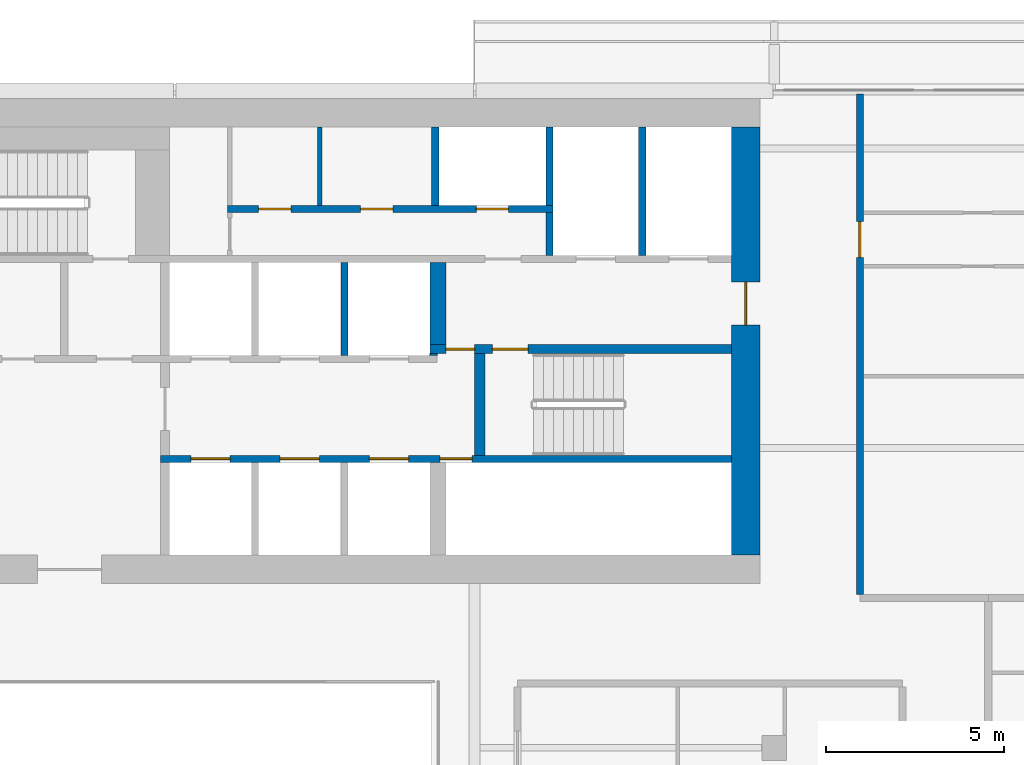
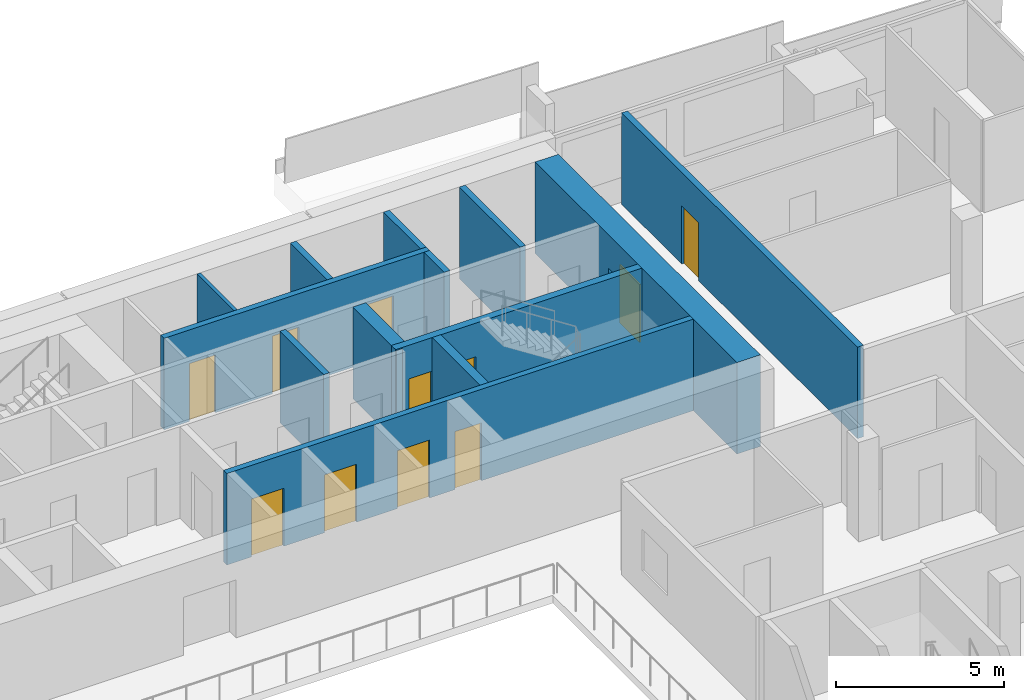
# One storey, part 23 of 31: 14 walls, 11 doors, 11 openings.
"""IFC4 building model written with IfcOpenShell, lengths in metres."""

from ifc_helpers import new_model, si_unit, direction, frame, frame_2d, origin, place, context, subcontext, project, spatial, rectangle, extrude, material, layer, layer_set, type_object, element, fill, save


model = new_model("IFC4")

# Units and contexts
model_context = context("Model", 3, precision=1e-05, world=origin(), true_north=direction((0.0, 1.0)))
body_context = subcontext(model_context, "Body", "Model", "MODEL_VIEW")
ifc_project = project(units=[si_unit("LENGTHUNIT", "METRE"), si_unit("AREAUNIT", "SQUARE_METRE"), si_unit("VOLUMEUNIT", "CUBIC_METRE"), si_unit("PLANEANGLEUNIT", "RADIAN"), si_unit("MASSUNIT", "GRAM", prefix="KILO")], contexts=[model_context])

# Site, building, storey
site_placement = place(None, origin())
site = spatial("IfcSite", under=ifc_project, at=site_placement, CompositionType="ELEMENT")
building_placement = place(site_placement, origin())
building = spatial("IfcBuilding", under=site, at=building_placement, Name="Saffron Gate Tower", CompositionType="ELEMENT")
storey_placement = place(building_placement, frame((0.0, 0.0, 147.449951171875)))
storey = spatial("IfcBuildingStorey", under=building, at=storey_placement, Name="L35", CompositionType="ELEMENT", Elevation=147.449951171875)

# Wall, opening, door
ifc_material_1 = material(Name="Concrete C60", Category="concrete")
ifc_layer_1 = layer(ifc_material_1, 0.800048828125)
ifc_layer_set_1 = layer_set([ifc_layer_1], Name="CW13 RC core wall 800 C60")
wall_type_1 = type_object("IfcWallType", Name="CW13 RC core wall 800 C60", PredefinedType="SOLIDWALL", material=ifc_layer_set_1)
wall_1_placement = place(storey_placement, frame((107.800048828125, 62.39990234375, 0.0), z_axis=(0.0, 0.0, 1.0), x_axis=(0.0, 1.0, 0.0)))
wall_1 = element("IfcWall", 1, at=wall_1_placement, inside=storey, type_object=wall_type_1, Name="Wall CW13-L35-4", PredefinedType="SOLIDWALL", context=body_context, shape_type="SweptSolid", body=[
    extrude(rectangle(XDim=12.0, YDim=0.800048828125, at=frame_2d((6.0, 0.0))), origin(), (0.0, 0.0, 1.0), 3.320068359375),
])
opening_1_placement = place(wall_1_placement, frame((6.449951171875, 0.0, 0.0)))
opening_1 = element("IfcOpeningElement", 2, at=opening_1_placement, cuts=wall_1, Name="Opening CR-08", PredefinedType="OPENING", context=body_context, shape_type="SweptSolid", body=[
    extrude(rectangle(XDim=1.199951171875, YDim=2.10009765625, at=frame_2d((0.60009765625, 1.050048828125))), frame((0.0, 0.41015625, 0.0), z_axis=(0.0, -1.0, 0.0), x_axis=(1.0, 0.0, 0.0)), (0.0, 0.0, 1.0), 0.820068359375),
])
ifc_material_2 = material(Name="Steel fire door set", Category="steel")
door_type_1 = type_object("IfcDoorType", Name="CD7 Core entrance door 1200x2100 EI 120", OperationType="NOTDEFINED", PredefinedType="DOOR", material=ifc_material_2)
door_1_placement = place(opening_1_placement, origin())
door_1 = element("IfcDoor", 3, at=door_1_placement, inside=storey, type_object=door_type_1, Name="DOOR CR-08", OperationType="SINGLE_SWING_RIGHT", OverallHeight=2.10009765625, OverallWidth=1.199951171875, PredefinedType="DOOR", context=body_context, shape_type="SweptSolid", body=[
    extrude(rectangle(XDim=1.199951171875, YDim=2.10009765625, at=frame_2d((0.60009765625, 1.050048828125))), frame((0.0, 0.02490234375, 0.0), z_axis=(0.0, -1.0, 0.0), x_axis=(1.0, 0.0, 0.0)), (0.0, 0.0, 1.0), 0.050048828125),
])
fill(opening_1, door_1)

# Wall, openings, doors
ifc_layer_2 = layer(ifc_material_1, 0.25)
ifc_layer_set_2 = layer_set([ifc_layer_2], Name="CW14 RC core wall 250 C60")
wall_type_2 = type_object("IfcWallType", Name="CW14 RC core wall 250 C60", PredefinedType="SOLIDWALL", material=ifc_layer_set_2)
wall_2_placement = place(storey_placement, frame((98.949951171875, 68.175048828125, 0.0), z_axis=(0.0, 0.0, 1.0), x_axis=(1.0, 0.0, 0.0)))
wall_2 = element("IfcWall", 4, at=wall_2_placement, inside=storey, type_object=wall_type_2, Name="Wall CW14-L35-28", PredefinedType="SOLIDWALL", context=body_context, shape_type="SweptSolid", body=[
    extrude(rectangle(XDim=8.449951171875, YDim=0.25, at=frame_2d((4.22509765625, 0.0))), origin(), (0.0, 0.0, 1.0), 3.320068359375),
])
opening_2_placement = place(wall_2_placement, frame((0.449951171875, 0.0, 0.0)))
opening_2 = element("IfcOpeningElement", 5, at=opening_2_placement, cuts=wall_2, Name="Opening CR-05", PredefinedType="OPENING", context=body_context, shape_type="SweptSolid", body=[
    extrude(rectangle(XDim=0.800048828125, YDim=2.10009765625, at=frame_2d((0.39990234375, 1.050048828125))), frame((0.0, 0.135009765625, 0.0), z_axis=(0.0, -1.0, 0.0), x_axis=(1.0, 0.0, 0.0)), (0.0, 0.0, 1.0), 0.27001953125),
])
opening_3_placement = place(wall_2_placement, frame((1.75, 0.0, 0.0)))
opening_3 = element("IfcOpeningElement", 6, at=opening_3_placement, cuts=wall_2, Name="Opening CR-16", PredefinedType="OPENING", context=body_context, shape_type="SweptSolid", body=[
    extrude(rectangle(XDim=1.0, YDim=2.10009765625, at=frame_2d((0.5, 1.050048828125))), frame((0.0, 0.135009765625, 0.0), z_axis=(0.0, -1.0, 0.0), x_axis=(1.0, 0.0, 0.0)), (0.0, 0.0, 1.0), 0.27001953125),
])
door_type_2 = type_object("IfcDoorType", Name="CD5 Stair door 1000x2100 EI 120", OperationType="NOTDEFINED", PredefinedType="DOOR", material=ifc_material_2)
door_2_placement = place(opening_3_placement, origin())
door_2 = element("IfcDoor", 7, at=door_2_placement, inside=storey, type_object=door_type_2, Name="DOOR CR-16", OperationType="SINGLE_SWING_RIGHT", OverallHeight=2.10009765625, OverallWidth=1.0, PredefinedType="DOOR", context=body_context, shape_type="SweptSolid", body=[
    extrude(rectangle(XDim=1.0, YDim=2.10009765625, at=frame_2d((0.5, 1.050048828125))), frame((0.0, 0.02490234375, 0.0), z_axis=(0.0, -1.0, 0.0), x_axis=(1.0, 0.0, 0.0)), (0.0, 0.0, 1.0), 0.050048828125),
])
fill(opening_3, door_2)
door_type_3 = type_object("IfcDoorType", Name="CD6 Lobby door 800x2100 EI 120", OperationType="NOTDEFINED", PredefinedType="DOOR", material=ifc_material_2)
door_3_placement = place(opening_2_placement, origin())
door_3 = element("IfcDoor", 8, at=door_3_placement, inside=storey, type_object=door_type_3, Name="DOOR CR-05", OperationType="SINGLE_SWING_LEFT", OverallHeight=2.10009765625, OverallWidth=0.800048828125, PredefinedType="DOOR", context=body_context, shape_type="SweptSolid", body=[
    extrude(rectangle(XDim=0.800048828125, YDim=2.10009765625, at=frame_2d((0.39990234375, 1.050048828125))), frame((0.0, 0.02490234375, 0.0), z_axis=(0.0, -1.0, 0.0), x_axis=(1.0, 0.0, 0.0)), (0.0, 0.0, 1.0), 0.050048828125),
])
fill(opening_2, door_3)

ifc_layer_3 = layer(ifc_material_1, 0.199951171875)
ifc_layer_set_3 = layer_set([ifc_layer_3], Name="CW15 RC core wall 200 C60")
wall_type_3 = type_object("IfcWallType", Name="CW15 RC core wall 200 C60", PredefinedType="SOLIDWALL", material=ifc_layer_set_3)
wall_3_placement = place(storey_placement, frame((91.39990234375, 65.10009765625, 0.0), z_axis=(0.0, 0.0, 1.0), x_axis=(1.0, 0.0, 0.0)))
wall_3 = element("IfcWall", 9, at=wall_3_placement, inside=storey, type_object=wall_type_3, Name="Wall CW15-L35-13", PredefinedType="SOLIDWALL", context=body_context, shape_type="SweptSolid", body=[
    extrude(rectangle(XDim=16.0, YDim=0.199951171875, at=frame_2d((8.0, 0.0))), origin(), (0.0, 0.0, 1.0), 3.320068359375),
])
opening_4_placement = place(wall_3_placement, frame((0.85009765625, 0.0, 0.0)))
opening_4 = element("IfcOpeningElement", 10, at=opening_4_placement, cuts=wall_3, Name="Opening LD-HR1", PredefinedType="OPENING", context=body_context, shape_type="SweptSolid", body=[
    extrude(rectangle(XDim=1.10009765625, YDim=2.10009765625, at=frame_2d((0.550048828125, 1.050048828125))), frame((0.0, 0.10986328125, 0.0), z_axis=(0.0, -1.0, 0.0), x_axis=(1.0, 0.0, 0.0)), (0.0, 0.0, 1.0), 0.219970703125),
])
opening_5_placement = place(wall_3_placement, frame((3.35009765625, 0.0, 0.0)))
opening_5 = element("IfcOpeningElement", 11, at=opening_5_placement, cuts=wall_3, Name="Opening LD-HR2", PredefinedType="OPENING", context=body_context, shape_type="SweptSolid", body=[
    extrude(rectangle(XDim=1.10009765625, YDim=2.10009765625, at=frame_2d((0.550048828125, 1.050048828125))), frame((0.0, 0.10986328125, 0.0), z_axis=(0.0, -1.0, 0.0), x_axis=(1.0, 0.0, 0.0)), (0.0, 0.0, 1.0), 0.219970703125),
])
opening_6_placement = place(wall_3_placement, frame((5.85009765625, 0.0, 0.0)))
opening_6 = element("IfcOpeningElement", 12, at=opening_6_placement, cuts=wall_3, Name="Opening LD-HR3", PredefinedType="OPENING", context=body_context, shape_type="SweptSolid", body=[
    extrude(rectangle(XDim=1.10009765625, YDim=2.10009765625, at=frame_2d((0.550048828125, 1.050048828125))), frame((0.0, 0.10986328125, 0.0), z_axis=(0.0, -1.0, 0.0), x_axis=(1.0, 0.0, 0.0)), (0.0, 0.0, 1.0), 0.219970703125),
])
opening_7_placement = place(wall_3_placement, frame((7.830078125, 0.0, 0.0)))
opening_7 = element("IfcOpeningElement", 13, at=opening_7_placement, cuts=wall_3, Name="Opening CR-48", PredefinedType="OPENING", context=body_context, shape_type="SweptSolid", body=[
    extrude(rectangle(XDim=0.89990234375, YDim=2.10009765625, at=frame_2d((0.449951171875, 1.050048828125))), frame((0.0, 0.10986328125, 0.0), z_axis=(0.0, -1.0, 0.0), x_axis=(1.0, 0.0, 0.0)), (0.0, 0.0, 1.0), 0.219970703125),
])
door_type_4 = type_object("IfcDoorType", Name="CD2 Riser door 900x2100 EI 60", OperationType="NOTDEFINED", PredefinedType="DOOR", material=ifc_material_2)
door_4_placement = place(opening_7_placement, origin())
door_4 = element("IfcDoor", 14, at=door_4_placement, inside=storey, type_object=door_type_4, Name="DOOR CR-48", OperationType="SINGLE_SWING_RIGHT", OverallHeight=2.10009765625, OverallWidth=0.89990234375, PredefinedType="DOOR", context=body_context, shape_type="SweptSolid", body=[
    extrude(rectangle(XDim=0.89990234375, YDim=2.10009765625, at=frame_2d((0.449951171875, 1.050048828125))), frame((0.0, 0.02490234375, 0.0), z_axis=(0.0, -1.0, 0.0), x_axis=(1.0, 0.0, 0.0)), (0.0, 0.0, 1.0), 0.050048828125),
])
fill(opening_7, door_4)
ifc_material_3 = material(Name="Stainless steel landing door", Category="steel")
door_type_5 = type_object("IfcDoorType", Name="LD Lift landing door 1100x2100 EI 120", OperationType="SLIDING_TO_LEFT", PredefinedType="DOOR", material=ifc_material_3)
door_5_placement = place(opening_4_placement, origin())
door_5 = element("IfcDoor", 15, at=door_5_placement, inside=storey, type_object=door_type_5, Name="LANDING DOOR LD-HR1", OperationType="SLIDING_TO_LEFT", OverallHeight=2.10009765625, OverallWidth=1.10009765625, PredefinedType="DOOR", context=body_context, shape_type="SweptSolid", body=[
    extrude(rectangle(XDim=1.10009765625, YDim=2.10009765625, at=frame_2d((0.550048828125, 1.050048828125))), frame((0.0, 0.02490234375, 0.0), z_axis=(0.0, -1.0, 0.0), x_axis=(1.0, 0.0, 0.0)), (0.0, 0.0, 1.0), 0.050048828125),
])
fill(opening_4, door_5)
door_6_placement = place(opening_5_placement, origin())
door_6 = element("IfcDoor", 16, at=door_6_placement, inside=storey, type_object=door_type_5, Name="LANDING DOOR LD-HR2", OperationType="SLIDING_TO_LEFT", OverallHeight=2.10009765625, OverallWidth=1.10009765625, PredefinedType="DOOR", context=body_context, shape_type="SweptSolid", body=[
    extrude(rectangle(XDim=1.10009765625, YDim=2.10009765625, at=frame_2d((0.550048828125, 1.050048828125))), frame((0.0, 0.02490234375, 0.0), z_axis=(0.0, -1.0, 0.0), x_axis=(1.0, 0.0, 0.0)), (0.0, 0.0, 1.0), 0.050048828125),
])
fill(opening_5, door_6)
door_7_placement = place(opening_6_placement, origin())
door_7 = element("IfcDoor", 17, at=door_7_placement, inside=storey, type_object=door_type_5, Name="LANDING DOOR LD-HR3", OperationType="SLIDING_TO_LEFT", OverallHeight=2.10009765625, OverallWidth=1.10009765625, PredefinedType="DOOR", context=body_context, shape_type="SweptSolid", body=[
    extrude(rectangle(XDim=1.10009765625, YDim=2.10009765625, at=frame_2d((0.550048828125, 1.050048828125))), frame((0.0, 0.02490234375, 0.0), z_axis=(0.0, -1.0, 0.0), x_axis=(1.0, 0.0, 0.0)), (0.0, 0.0, 1.0), 0.050048828125),
])
fill(opening_6, door_7)

# Walls
wall_4_placement = place(storey_placement, frame((96.550048828125, 68.0, 0.0), z_axis=(0.0, 0.0, 1.0), x_axis=(0.0, 1.0, 0.0)))
element("IfcWall", 18, at=wall_4_placement, inside=storey, type_object=wall_type_3, Name="Wall CW15-L35-25", PredefinedType="SOLIDWALL", context=body_context, shape_type="SweptSolid", body=[
    extrude(rectangle(XDim=2.60009765625, YDim=0.199951171875, at=frame_2d((1.300048828125, 0.0))), origin(), (0.0, 0.0, 1.0), 3.320068359375),
])
wall_5_placement = place(storey_placement, frame((102.300048828125, 70.800048828125, 0.0), z_axis=(0.0, 0.0, 1.0), x_axis=(0.0, 1.0, 0.0)))
element("IfcWall", 19, at=wall_5_placement, inside=storey, type_object=wall_type_3, Name="Wall CW15-L35-38", PredefinedType="SOLIDWALL", context=body_context, shape_type="SweptSolid", body=[
    extrude(rectangle(XDim=1.199951171875, YDim=0.199951171875, at=frame_2d((0.60009765625, 0.0))), origin(), (0.0, 0.0, 1.0), 3.320068359375),
])
wall_6_placement = place(storey_placement, frame((104.89990234375, 70.800048828125, 0.0), z_axis=(0.0, 0.0, 1.0), x_axis=(0.0, 1.0, 0.0)))
element("IfcWall", 20, at=wall_6_placement, inside=storey, type_object=wall_type_3, Name="Wall CW15-L35-39", PredefinedType="SOLIDWALL", context=body_context, shape_type="SweptSolid", body=[
    extrude(rectangle(XDim=3.599853515625, YDim=0.199951171875, at=frame_2d((1.7998046875, 0.0))), origin(), (0.0, 0.0, 1.0), 3.320068359375),
])

# Wall, openings, doors
wall_7_placement = place(storey_placement, frame((93.280029296875, 72.10009765625, 0.0), z_axis=(0.0, 0.0, 1.0), x_axis=(1.0, 0.0, 0.0)))
wall_7 = element("IfcWall", 21, at=wall_7_placement, inside=storey, type_object=wall_type_3, Name="Wall CW15-L35-41", PredefinedType="SOLIDWALL", context=body_context, shape_type="SweptSolid", body=[
    extrude(rectangle(XDim=9.119873046875, YDim=0.199951171875, at=frame_2d((4.56005859375, 0.0))), origin(), (0.0, 0.0, 1.0), 3.320068359375),
])
opening_8_placement = place(wall_7_placement, frame((0.8701171875, 0.0, 0.0)))
opening_8 = element("IfcOpeningElement", 22, at=opening_8_placement, cuts=wall_7, Name="Opening CR-50", PredefinedType="OPENING", context=body_context, shape_type="SweptSolid", body=[
    extrude(rectangle(XDim=0.89990234375, YDim=2.10009765625, at=frame_2d((0.449951171875, 1.050048828125))), frame((0.0, 0.10986328125, 0.0), z_axis=(0.0, -1.0, 0.0), x_axis=(1.0, 0.0, 0.0)), (0.0, 0.0, 1.0), 0.219970703125),
])
opening_9_placement = place(wall_7_placement, frame((3.72998046875, 0.0, 0.0)))
opening_9 = element("IfcOpeningElement", 23, at=opening_9_placement, cuts=wall_7, Name="Opening CR-53", PredefinedType="OPENING", context=body_context, shape_type="SweptSolid", body=[
    extrude(rectangle(XDim=0.89990234375, YDim=2.10009765625, at=frame_2d((0.449951171875, 1.050048828125))), frame((0.0, 0.10986328125, 0.0), z_axis=(0.0, -1.0, 0.0), x_axis=(1.0, 0.0, 0.0)), (0.0, 0.0, 1.0), 0.219970703125),
])
opening_10_placement = place(wall_7_placement, frame((6.969970703125, 0.0, 0.0)))
opening_10 = element("IfcOpeningElement", 24, at=opening_10_placement, cuts=wall_7, Name="Opening CR-70", PredefinedType="OPENING", context=body_context, shape_type="SweptSolid", body=[
    extrude(rectangle(XDim=0.89990234375, YDim=2.10009765625, at=frame_2d((0.449951171875, 1.050048828125))), frame((0.0, 0.10986328125, 0.0), z_axis=(0.0, -1.0, 0.0), x_axis=(1.0, 0.0, 0.0)), (0.0, 0.0, 1.0), 0.219970703125),
])
door_8_placement = place(opening_10_placement, origin())
door_8 = element("IfcDoor", 25, at=door_8_placement, inside=storey, type_object=door_type_4, Name="DOOR CR-70", OperationType="SINGLE_SWING_LEFT", OverallHeight=2.10009765625, OverallWidth=0.89990234375, PredefinedType="DOOR", context=body_context, shape_type="SweptSolid", body=[
    extrude(rectangle(XDim=0.89990234375, YDim=2.10009765625, at=frame_2d((0.449951171875, 1.050048828125))), frame((0.0, 0.02490234375, 0.0), z_axis=(0.0, -1.0, 0.0), x_axis=(1.0, 0.0, 0.0)), (0.0, 0.0, 1.0), 0.050048828125),
])
fill(opening_10, door_8)
door_type_6 = type_object("IfcDoorType", Name="CD9 Room door 900x2100 EI 60", OperationType="NOTDEFINED", PredefinedType="DOOR", material=ifc_material_2)
door_9_placement = place(opening_8_placement, origin())
door_9 = element("IfcDoor", 26, at=door_9_placement, inside=storey, type_object=door_type_6, Name="DOOR CR-50", OperationType="SINGLE_SWING_LEFT", OverallHeight=2.10009765625, OverallWidth=0.89990234375, PredefinedType="DOOR", context=body_context, shape_type="SweptSolid", body=[
    extrude(rectangle(XDim=0.89990234375, YDim=2.10009765625, at=frame_2d((0.449951171875, 1.050048828125))), frame((0.0, 0.02490234375, 0.0), z_axis=(0.0, -1.0, 0.0), x_axis=(1.0, 0.0, 0.0)), (0.0, 0.0, 1.0), 0.050048828125),
])
fill(opening_8, door_9)
door_10_placement = place(opening_9_placement, origin())
door_10 = element("IfcDoor", 27, at=door_10_placement, inside=storey, type_object=door_type_6, Name="DOOR CR-53", OperationType="SINGLE_SWING_LEFT", OverallHeight=2.10009765625, OverallWidth=0.89990234375, PredefinedType="DOOR", context=body_context, shape_type="SweptSolid", body=[
    extrude(rectangle(XDim=0.89990234375, YDim=2.10009765625, at=frame_2d((0.449951171875, 1.050048828125))), frame((0.0, 0.02490234375, 0.0), z_axis=(0.0, -1.0, 0.0), x_axis=(1.0, 0.0, 0.0)), (0.0, 0.0, 1.0), 0.050048828125),
])
fill(opening_9, door_10)

# Walls
for number, where, z_axis, x_axis, name in (
    (28, (99.10009765625, 72.199951171875, 0.0), (0.0, 0.0, 1.0), (0.0, 1.0, 0.0), "Wall CW15-L35-48"),
    (29, (102.300048828125, 72.199951171875, 0.0), (0.0, 0.0, 1.0), (0.0, 1.0, 0.0), "Wall CW15-L35-49"),
):
    element("IfcWall", number, at=place(storey_placement, frame(where, z_axis=z_axis, x_axis=x_axis)), inside=storey, type_object=wall_type_3, Name=name, PredefinedType="SOLIDWALL", context=body_context, shape_type="SweptSolid", body=[
        extrude(rectangle(XDim=2.199951171875, YDim=0.199951171875, at=frame_2d((1.10009765625, 0.0))), origin(), (0.0, 0.0, 1.0), 3.320068359375),
    ])
ifc_layer_4 = layer(ifc_material_1, 0.449951171875)
ifc_layer_set_4 = layer_set([ifc_layer_4], Name="CW16 RC core wall 450 C60")
wall_type_4 = type_object("IfcWallType", Name="CW16 RC core wall 450 C60", PredefinedType="SOLIDWALL", material=ifc_layer_set_4)
wall_8_placement = place(storey_placement, frame((99.175048828125, 68.300048828125, 0.0), z_axis=(0.0, 0.0, 1.0), x_axis=(0.0, 1.0, 0.0)))
element("IfcWall", 30, at=wall_8_placement, inside=storey, type_object=wall_type_4, Name="Wall CW16-L35-30", PredefinedType="SOLIDWALL", context=body_context, shape_type="SweptSolid", body=[
    extrude(rectangle(XDim=2.300048828125, YDim=0.449951171875, at=frame_2d((1.14990234375, 0.0))), origin(), (0.0, 0.0, 1.0), 3.320068359375),
])
ifc_layer_5 = layer(ifc_material_1, 0.300048828125)
ifc_layer_set_5 = layer_set([ifc_layer_5], Name="CW17 RC core wall 300 C60")
wall_type_5 = type_object("IfcWallType", Name="CW17 RC core wall 300 C60", PredefinedType="SOLIDWALL", material=ifc_layer_set_5)
wall_9_placement = place(storey_placement, frame((100.35009765625, 65.199951171875, 0.0), z_axis=(0.0, 0.0, 1.0), x_axis=(0.0, 1.0, 0.0)))
element("IfcWall", 31, at=wall_9_placement, inside=storey, type_object=wall_type_5, Name="Wall CW17-L35-17", PredefinedType="SOLIDWALL", context=body_context, shape_type="SweptSolid", body=[
    extrude(rectangle(XDim=2.85009765625, YDim=0.300048828125, at=frame_2d((1.425048828125, 0.0))), origin(), (0.0, 0.0, 1.0), 3.320068359375),
])
ifc_layer_6 = layer(ifc_material_1, 0.050048828125)
ifc_layer_set_6 = layer_set([ifc_layer_6], Name="CW18 RC core wall 50 C60")
wall_type_6 = type_object("IfcWallType", Name="CW18 RC core wall 50 C60", PredefinedType="SOLIDWALL", material=ifc_layer_set_6)
wall_10_placement = place(storey_placement, frame((98.949951171875, 68.02490234375, 0.0), z_axis=(0.0, 0.0, 1.0), x_axis=(1.0, 0.0, 0.0)))
element("IfcWall", 32, at=wall_10_placement, inside=storey, type_object=wall_type_6, Name="Wall CW18-L35-26", PredefinedType="SOLIDWALL", context=body_context, shape_type="SweptSolid", body=[
    extrude(rectangle(XDim=0.199951171875, YDim=0.050048828125, at=frame_2d((0.10009765625, 0.0))), origin(), (0.0, 0.0, 1.0), 3.320068359375),
])
ifc_material_4 = material(Name="Gypsum board partition on steel studs", Category="steel")
ifc_layer_7 = layer(ifc_material_4, 0.1201171875)
ifc_layer_set_7 = layer_set([ifc_layer_7], Name="CW8 Core partition 120")
wall_type_7 = type_object("IfcWallType", Name="CW8 Core partition 120", PredefinedType="PARTITIONING", material=ifc_layer_set_7)
wall_11_placement = place(storey_placement, frame((95.860107421875, 72.199951171875, 0.0), z_axis=(0.0, 0.0, 1.0), x_axis=(0.0, 1.0, 0.0)))
element("IfcWall", 33, at=wall_11_placement, inside=storey, type_object=wall_type_7, Name="Wall CW8-L35-47", PredefinedType="PARTITIONING", context=body_context, shape_type="SweptSolid", body=[
    extrude(rectangle(XDim=2.199951171875, YDim=0.1201171875, at=frame_2d((1.10009765625, 0.0))), origin(), (0.0, 0.0, 1.0), 3.320068359375),
])

# Wall, opening, door
ifc_material_5 = material(Name="Clay brick masonry, rendered", Category="masonry")
ifc_layer_8 = layer(ifc_material_5, 0.199951171875)
ifc_layer_set_8 = layer_set([ifc_layer_8], Name="PW3 Corridor wall 200")
wall_type_8 = type_object("IfcWallType", Name="PW3 Corridor wall 200", PredefinedType="PARTITIONING", material=ifc_layer_set_8)
wall_12_placement = place(storey_placement, frame((111.0, 75.320068359375, 0.0), z_axis=(0.0, 0.0, 1.0), x_axis=(0.0, -1.0, 0.0)))
wall_12 = element("IfcWall", 34, at=wall_12_placement, inside=storey, type_object=wall_type_8, Name="Wall C1-100", PredefinedType="PARTITIONING", context=body_context, shape_type="SweptSolid", body=[
    extrude(rectangle(XDim=14.02001953125, YDim=0.199951171875, at=frame_2d((7.010009765625, 0.0))), origin(), (0.0, 0.0, 1.0), 3.320068359375),
])
opening_11_placement = place(wall_12_placement, frame((3.570068359375, 0.0, 0.0)))
opening_11 = element("IfcOpeningElement", 35, at=opening_11_placement, cuts=wall_12, Name="Opening C1-8", PredefinedType="OPENING", context=body_context, shape_type="SweptSolid", body=[
    extrude(rectangle(XDim=1.0, YDim=2.10009765625, at=frame_2d((0.5, 1.050048828125))), frame((0.0, 0.10986328125, 0.0), z_axis=(0.0, -1.0, 0.0), x_axis=(1.0, 0.0, 0.0)), (0.0, 0.0, 1.0), 0.219970703125),
])
ifc_material_6 = material(Name="Timber fire door set", Category="wood")
door_type_7 = type_object("IfcDoorType", Name="FD1 Flat entry door 1000x2100", OperationType="NOTDEFINED", PredefinedType="DOOR", material=ifc_material_6)
door_11_placement = place(opening_11_placement, origin())
door_11 = element("IfcDoor", 36, at=door_11_placement, inside=storey, type_object=door_type_7, Name="Door C1-8", OperationType="SINGLE_SWING_RIGHT", OverallHeight=2.10009765625, OverallWidth=1.0, PredefinedType="DOOR", context=body_context, shape_type="SweptSolid", body=[
    extrude(rectangle(XDim=1.0, YDim=2.10009765625, at=frame_2d((0.5, 1.050048828125))), frame((0.0, 0.02490234375, 0.0), z_axis=(0.0, -1.0, 0.0), x_axis=(1.0, 0.0, 0.0)), (0.0, 0.0, 1.0), 0.050048828125),
])
fill(opening_11, door_11)

save(model, "model.ifc")
